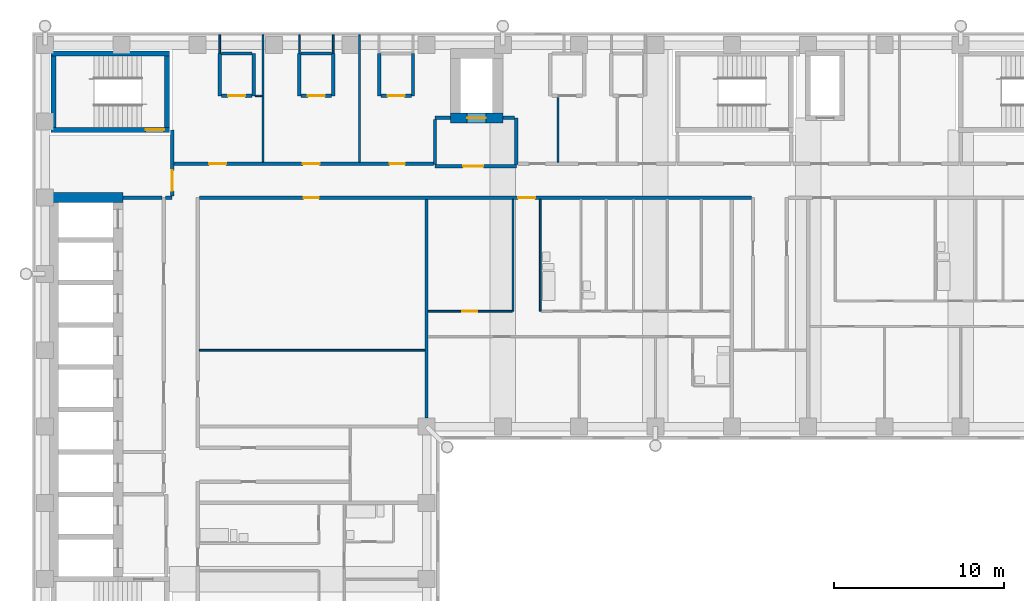
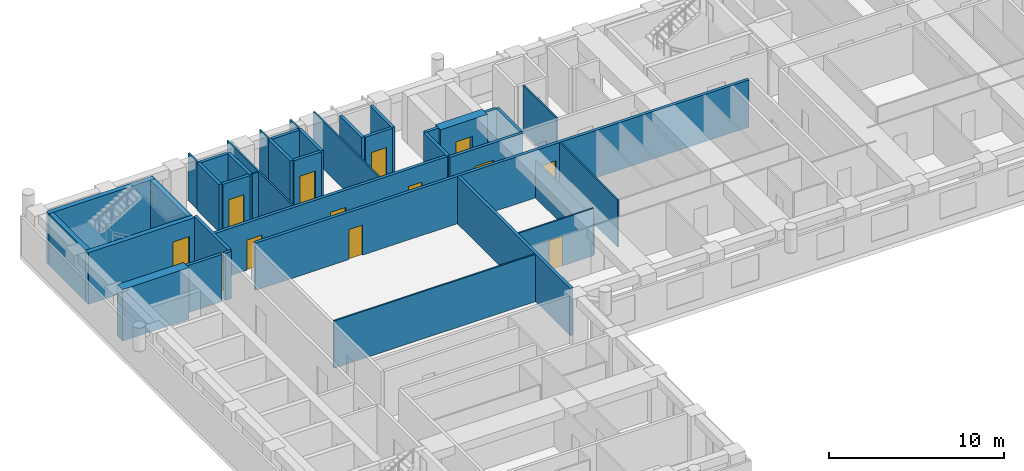
# One storey, part 7 of 14: 39 walls, 13 doors, 13 openings.
"""IFC4 building model written with IfcOpenShell, lengths in metres."""

from ifc_helpers import new_model, si_unit, direction, frame, frame_2d, origin, place, context, subcontext, project, spatial, rectangle, extrude, material, layer, layer_set, type_object, element, fill, save


model = new_model("IFC4")

# Units and contexts
model_context = context("Model", 3, precision=1e-05, world=origin(), true_north=direction((0.0, 1.0)))
body_context = subcontext(model_context, "Body", "Model", "MODEL_VIEW")
ifc_project = project(units=[si_unit("LENGTHUNIT", "METRE"), si_unit("AREAUNIT", "SQUARE_METRE"), si_unit("VOLUMEUNIT", "CUBIC_METRE"), si_unit("PLANEANGLEUNIT", "RADIAN"), si_unit("MASSUNIT", "GRAM", prefix="KILO")], contexts=[model_context])

# Site, building, storey
site_placement = place(None, origin())
site = spatial("IfcSite", under=ifc_project, at=site_placement, CompositionType="ELEMENT")
building_placement = place(site_placement, origin())
building = spatial("IfcBuilding", under=site, at=building_placement, Name="Firuza Court", CompositionType="ELEMENT")
storey_placement = place(building_placement, frame((0.0, 0.0, 159.199951171875)))
storey = spatial("IfcBuildingStorey", under=building, at=storey_placement, Name="L40", CompositionType="ELEMENT", Elevation=159.199951171875)

# Wall
ifc_material_1 = material(Name="Moisture-resistant gypsum board partition")
ifc_layer_1 = layer(ifc_material_1, 0.10009765625)
ifc_layer_set_1 = layer_set([ifc_layer_1], Name="Moisture-resistant gypsum board partition")
wall_type_1 = type_object("IfcWallType", Name="Bathroom partition 100", PredefinedType="PLUMBINGWALL", material=ifc_layer_set_1)
wall_1_placement = place(storey_placement, frame((29.199951171875, 42.800048828125, 0.0), z_axis=(0.0, 0.0, 1.0), x_axis=(0.0, 1.0, 0.0)))
element("IfcWall", 1, at=wall_1_placement, inside=storey, type_object=wall_type_1, Name="Bathroom partition 100 L40", PredefinedType="PLUMBINGWALL", context=body_context, shape_type="SweptSolid", body=[
    extrude(rectangle(XDim=6.599853515625, YDim=0.10009765625, at=frame_2d((3.2998046875, 0.0))), origin(), (0.0, 0.0, 1.0), 3.300048828125),
])

# Wall, opening, door
ifc_material_2 = material(Name="Concrete C60/75", Category="concrete")
ifc_layer_2 = layer(ifc_material_2, 0.300048828125)
ifc_layer_set_2 = layer_set([ifc_layer_2], Name="Concrete C60/75")
wall_type_2 = type_object("IfcWallType", Name="Core wall 300 C60/75", PredefinedType="SHEAR", material=ifc_layer_set_2)
wall_2_placement = place(storey_placement, frame((0.35009765625, 53.5, -0.300048828125), z_axis=(0.0, 0.0, 1.0), x_axis=(1.0, 0.0, 0.0)))
wall_2 = element("IfcWall", 2, at=wall_2_placement, inside=storey, type_object=wall_type_2, Name="Core wall stair L40", PredefinedType="SHEAR", context=body_context, shape_type="SweptSolid", body=[
    extrude(rectangle(XDim=7.0, YDim=0.300048828125, at=frame_2d((3.5, 0.0))), origin(), (0.0, 0.0, 1.0), 3.60009765625),
])
opening_1_placement = place(wall_2_placement, frame((5.580078125, 0.0, 0.300048828125)))
opening_1 = element("IfcOpeningElement", 3, at=opening_1_placement, cuts=wall_2, Name="Opening D40015", PredefinedType="OPENING", context=body_context, shape_type="SweptSolid", body=[
    extrude(rectangle(XDim=1.10009765625, YDim=2.10009765625, at=frame_2d((0.550048828125, 1.050048828125))), frame((0.0, 0.162109375, 0.0), z_axis=(0.0, -1.0, 0.0), x_axis=(1.0, 0.0, 0.0)), (0.0, 0.0, 1.0), 0.323974609375),
])
ifc_material_3 = material(Name="Timber door leaf in hardwood frame", Category="wood")
door_type_1 = type_object("IfcDoorType", Name="Stair door 1100", OperationType="SINGLE_SWING_LEFT", PredefinedType="DOOR", material=ifc_material_3)
door_1_placement = place(opening_1_placement, origin())
door_1 = element("IfcDoor", 4, at=door_1_placement, inside=storey, type_object=door_type_1, Name="Stair door S3", OperationType="SINGLE_SWING_RIGHT", OverallHeight=2.10009765625, OverallWidth=1.10009765625, PredefinedType="DOOR", context=body_context, shape_type="SweptSolid", body=[
    extrude(rectangle(XDim=1.10009765625, YDim=2.10009765625, at=frame_2d((0.550048828125, 1.050048828125))), frame((0.0, 0.02490234375, 0.0), z_axis=(0.0, -1.0, 0.0), x_axis=(1.0, 0.0, 0.0)), (0.0, 0.0, 1.0), 0.050048828125),
])
fill(opening_1, door_1)

# Walls
wall_3_placement = place(storey_placement, frame((0.35009765625, 58.0, -0.300048828125), z_axis=(0.0, 0.0, 1.0), x_axis=(1.0, 0.0, 0.0)))
element("IfcWall", 5, at=wall_3_placement, inside=storey, type_object=wall_type_2, Name="Core wall stair L40", PredefinedType="SHEAR", context=body_context, shape_type="SweptSolid", body=[
    extrude(rectangle(XDim=7.0, YDim=0.300048828125, at=frame_2d((3.5, 0.0))), origin(), (0.0, 0.0, 1.0), 3.60009765625),
])
for number, where, z_axis, x_axis, name in (
    (6, (0.5, 53.64990234375, -0.300048828125), (0.0, 0.0, 1.0), (0.0, 1.0, 0.0), "Core wall stair L40"),
    (7, (7.199951171875, 53.64990234375, -0.300048828125), (0.0, 0.0, 1.0), (0.0, 1.0, 0.0), "Core wall stair L40"),
):
    element("IfcWall", number, at=place(storey_placement, frame(where, z_axis=z_axis, x_axis=x_axis)), inside=storey, type_object=wall_type_2, Name=name, PredefinedType="SHEAR", context=body_context, shape_type="SweptSolid", body=[
        extrude(rectangle(XDim=4.2001953125, YDim=0.300048828125, at=frame_2d((2.10009765625, 0.0))), origin(), (0.0, 0.0, 1.0), 3.60009765625),
    ])
ifc_layer_3 = layer(ifc_material_2, 0.60009765625)
ifc_layer_set_3 = layer_set([ifc_layer_3], Name="Concrete C60/75")
wall_type_3 = type_object("IfcWallType", Name="Core wall 600 C60/75", PredefinedType="SHEAR", material=ifc_layer_set_3)
wall_4_placement = place(storey_placement, frame((0.199951171875, 49.5, -0.300048828125), z_axis=(0.0, 0.0, 1.0), x_axis=(1.0, 0.0, 0.0)))
element("IfcWall", 8, at=wall_4_placement, inside=storey, type_object=wall_type_3, Name="Core wall lift shaft L40", PredefinedType="SHEAR", context=body_context, shape_type="SweptSolid", body=[
    extrude(rectangle(XDim=4.400146484375, YDim=0.60009765625, at=frame_2d((2.2001953125, 0.0))), origin(), (0.0, 0.0, 1.0), 3.60009765625),
])

# Wall, opening, door
wall_5_placement = place(storey_placement, frame((23.89990234375, 54.199951171875, -0.300048828125), z_axis=(0.0, 0.0, 1.0), x_axis=(1.0, 0.0, 0.0)))
wall_5 = element("IfcWall", 9, at=wall_5_placement, inside=storey, type_object=wall_type_3, Name="Core wall lift shaft L40", PredefinedType="SHEAR", context=body_context, shape_type="SweptSolid", body=[
    extrude(rectangle(XDim=3.10009765625, YDim=0.60009765625, at=frame_2d((1.550048828125, 0.0))), origin(), (0.0, 0.0, 1.0), 3.60009765625),
])
opening_2_placement = place(wall_5_placement, frame((1.0, 0.0, 0.300048828125)))
opening_2 = element("IfcOpeningElement", 10, at=opening_2_placement, cuts=wall_5, Name="Opening LD-FL3-40", PredefinedType="OPENING", context=body_context, shape_type="SweptSolid", body=[
    extrude(rectangle(XDim=1.10009765625, YDim=2.10009765625, at=frame_2d((0.550048828125, 1.050048828125))), frame((0.0, 0.31201171875, 0.0), z_axis=(0.0, -1.0, 0.0), x_axis=(1.0, 0.0, 0.0)), (0.0, 0.0, 1.0), 0.6240234375),
])
ifc_material_4 = material(Name="Stainless steel 1.4301 door leaf", Category="steel")
door_type_2 = type_object("IfcDoorType", Name="Lift landing door 1100", OperationType="SLIDING_TO_LEFT", PredefinedType="DOOR", material=ifc_material_4)
door_2_placement = place(opening_2_placement, origin())
door_2 = element("IfcDoor", 11, at=door_2_placement, inside=storey, type_object=door_type_2, Name="Landing door FL3", OperationType="SLIDING_TO_LEFT", OverallHeight=2.10009765625, OverallWidth=1.10009765625, PredefinedType="DOOR", context=body_context, shape_type="SweptSolid", body=[
    extrude(rectangle(XDim=1.10009765625, YDim=2.10009765625, at=frame_2d((0.550048828125, 1.050048828125))), frame((0.0, 0.02490234375, 0.0), z_axis=(0.0, -1.0, 0.0), x_axis=(1.0, 0.0, 0.0)), (0.0, 0.0, 1.0), 0.050048828125),
])
fill(opening_2, door_2)

# Wall, openings, doors
ifc_material_5 = material(Name="Blockwork, plastered both sides", Category="masonry")
ifc_layer_4 = layer(ifc_material_5, 0.199951171875)
ifc_layer_set_4 = layer_set([ifc_layer_4], Name="Blockwork, plastered both sides")
wall_type_4 = type_object("IfcWallType", Name="Corridor wall 200", PredefinedType="PARTITIONING", material=ifc_layer_set_4)
wall_6_placement = place(storey_placement, frame((9.10009765625, 49.5, 0.0), z_axis=(0.0, 0.0, 1.0), x_axis=(1.0, 0.0, 0.0)))
wall_6 = element("IfcWall", 12, at=wall_6_placement, inside=storey, type_object=wall_type_4, Name="Corridor wall 200 L40", PredefinedType="PARTITIONING", context=body_context, shape_type="SweptSolid", body=[
    extrude(rectangle(XDim=32.5498046875, YDim=0.199951171875, at=frame_2d((16.27490234375, 0.0))), origin(), (0.0, 0.0, 1.0), 3.300048828125),
])
opening_3_placement = place(wall_6_placement, frame((18.800048828125, 0.0, 0.0)))
opening_3 = element("IfcOpeningElement", 13, at=opening_3_placement, cuts=wall_6, Name="Opening D40066", PredefinedType="OPENING", context=body_context, shape_type="SweptSolid", body=[
    extrude(rectangle(XDim=1.0, YDim=2.10009765625, at=frame_2d((0.5, 1.050048828125))), frame((0.0, 0.11181640625, 0.0), z_axis=(0.0, -1.0, 0.0), x_axis=(1.0, 0.0, 0.0)), (0.0, 0.0, 1.0), 0.223876953125),
])
opening_4_placement = place(wall_6_placement, frame((6.14990234375, 0.0, 0.0)))
opening_4 = element("IfcOpeningElement", 14, at=opening_4_placement, cuts=wall_6, Name="Opening D40067", PredefinedType="OPENING", context=body_context, shape_type="SweptSolid", body=[
    extrude(rectangle(XDim=0.89990234375, YDim=2.10009765625, at=frame_2d((0.449951171875, 1.050048828125))), frame((0.0, 0.11181640625, 0.0), z_axis=(0.0, -1.0, 0.0), x_axis=(1.0, 0.0, 0.0)), (0.0, 0.0, 1.0), 0.223876953125),
])
ifc_material_6 = material(Name="Timber door leaf in hardwood frame", Category="wood")
door_type_3 = type_object("IfcDoorType", Name="Flat entrance door 1000", OperationType="SINGLE_SWING_LEFT", PredefinedType="DOOR", material=ifc_material_6)
door_3_placement = place(opening_3_placement, origin())
door_3 = element("IfcDoor", 15, at=door_3_placement, inside=storey, type_object=door_type_3, Name="Flat entrance door", OperationType="SINGLE_SWING_LEFT", OverallHeight=2.10009765625, OverallWidth=1.0, PredefinedType="DOOR", context=body_context, shape_type="SweptSolid", body=[
    extrude(rectangle(XDim=1.0, YDim=2.10009765625, at=frame_2d((0.5, 1.050048828125))), frame((0.0, 0.02490234375, 0.0), z_axis=(0.0, -1.0, 0.0), x_axis=(1.0, 0.0, 0.0)), (0.0, 0.0, 1.0), 0.050048828125),
])
fill(opening_3, door_3)
ifc_material_7 = material(Name="Timber door leaf in hardwood frame", Category="wood")
door_type_4 = type_object("IfcDoorType", Name="Room door 900 EI 30", OperationType="SINGLE_SWING_LEFT", PredefinedType="DOOR", material=ifc_material_7)
door_4_placement = place(opening_4_placement, frame((0.89990234375, 0.0, 0.0), z_axis=(0.0, 0.0, 1.0), x_axis=(-1.0, 0.0, 0.0)))
door_4 = element("IfcDoor", 16, at=door_4_placement, inside=storey, type_object=door_type_4, Name="Playroom door", OperationType="SINGLE_SWING_RIGHT", OverallHeight=2.10009765625, OverallWidth=0.89990234375, PredefinedType="DOOR", context=body_context, shape_type="SweptSolid", body=[
    extrude(rectangle(XDim=0.89990234375, YDim=2.10009765625, at=frame_2d((0.449951171875, 1.050048828125))), frame((0.0, 0.02490234375, 0.0), z_axis=(0.0, -1.0, 0.0), x_axis=(1.0, 0.0, 0.0)), (0.0, 0.0, 1.0), 0.050048828125),
])
fill(opening_4, door_4)

wall_7_placement = place(storey_placement, frame((7.60009765625, 51.5, 0.0), z_axis=(0.0, 0.0, 1.0), x_axis=(1.0, 0.0, 0.0)))
wall_7 = element("IfcWall", 17, at=wall_7_placement, inside=storey, type_object=wall_type_4, Name="Corridor wall 200 L40", PredefinedType="PARTITIONING", context=body_context, shape_type="SweptSolid", body=[
    extrude(rectangle(XDim=15.2998046875, YDim=0.199951171875, at=frame_2d((7.64990234375, 0.0))), origin(), (0.0, 0.0, 1.0), 3.300048828125),
])
opening_5_placement = place(wall_7_placement, frame((2.074951171875, 0.0, 0.0)))
opening_5 = element("IfcOpeningElement", 18, at=opening_5_placement, cuts=wall_7, Name="Opening D40070", PredefinedType="OPENING", context=body_context, shape_type="SweptSolid", body=[
    extrude(rectangle(XDim=1.0, YDim=2.10009765625, at=frame_2d((0.5, 1.050048828125))), frame((0.0, 0.11181640625, 0.0), z_axis=(0.0, -1.0, 0.0), x_axis=(1.0, 0.0, 0.0)), (0.0, 0.0, 1.0), 0.223876953125),
])
opening_6_placement = place(wall_7_placement, frame((7.60009765625, 0.0, 0.0)))
opening_6 = element("IfcOpeningElement", 19, at=opening_6_placement, cuts=wall_7, Name="Opening D40071", PredefinedType="OPENING", context=body_context, shape_type="SweptSolid", body=[
    extrude(rectangle(XDim=1.0, YDim=2.10009765625, at=frame_2d((0.5, 1.050048828125))), frame((0.0, 0.11181640625, 0.0), z_axis=(0.0, -1.0, 0.0), x_axis=(1.0, 0.0, 0.0)), (0.0, 0.0, 1.0), 0.223876953125),
])
opening_7_placement = place(wall_7_placement, frame((12.72509765625, 0.0, 0.0)))
opening_7 = element("IfcOpeningElement", 20, at=opening_7_placement, cuts=wall_7, Name="Opening D40072", PredefinedType="OPENING", context=body_context, shape_type="SweptSolid", body=[
    extrude(rectangle(XDim=0.89990234375, YDim=2.10009765625, at=frame_2d((0.449951171875, 1.050048828125))), frame((0.0, 0.11181640625, 0.0), z_axis=(0.0, -1.0, 0.0), x_axis=(1.0, 0.0, 0.0)), (0.0, 0.0, 1.0), 0.223876953125),
])
door_5_placement = place(opening_7_placement, origin())
door_5 = element("IfcDoor", 21, at=door_5_placement, inside=storey, type_object=door_type_4, Name="Meeting room door", OperationType="SINGLE_SWING_LEFT", OverallHeight=2.10009765625, OverallWidth=0.89990234375, PredefinedType="DOOR", context=body_context, shape_type="SweptSolid", body=[
    extrude(rectangle(XDim=0.89990234375, YDim=2.10009765625, at=frame_2d((0.449951171875, 1.050048828125))), frame((0.0, 0.02490234375, 0.0), z_axis=(0.0, -1.0, 0.0), x_axis=(1.0, 0.0, 0.0)), (0.0, 0.0, 1.0), 0.050048828125),
])
fill(opening_7, door_5)
ifc_material_8 = material(Name="Timber door leaf in hardwood frame", Category="wood")
door_type_5 = type_object("IfcDoorType", Name="Store door 1000", OperationType="SINGLE_SWING_LEFT", PredefinedType="DOOR", material=ifc_material_8)
door_6_placement = place(opening_5_placement, origin())
door_6 = element("IfcDoor", 22, at=door_6_placement, inside=storey, type_object=door_type_5, Name="Comms room door", OperationType="SINGLE_SWING_LEFT", OverallHeight=2.10009765625, OverallWidth=1.0, PredefinedType="DOOR", context=body_context, shape_type="SweptSolid", body=[
    extrude(rectangle(XDim=1.0, YDim=2.10009765625, at=frame_2d((0.5, 1.050048828125))), frame((0.0, 0.02490234375, 0.0), z_axis=(0.0, -1.0, 0.0), x_axis=(1.0, 0.0, 0.0)), (0.0, 0.0, 1.0), 0.050048828125),
])
fill(opening_5, door_6)
door_7_placement = place(opening_6_placement, origin())
door_7 = element("IfcDoor", 23, at=door_7_placement, inside=storey, type_object=door_type_5, Name="Bicycle store door", OperationType="SINGLE_SWING_LEFT", OverallHeight=2.10009765625, OverallWidth=1.0, PredefinedType="DOOR", context=body_context, shape_type="SweptSolid", body=[
    extrude(rectangle(XDim=1.0, YDim=2.10009765625, at=frame_2d((0.5, 1.050048828125))), frame((0.0, 0.02490234375, 0.0), z_axis=(0.0, -1.0, 0.0), x_axis=(1.0, 0.0, 0.0)), (0.0, 0.0, 1.0), 0.050048828125),
])
fill(opening_6, door_7)

# Wall
ifc_material_9 = material(Name="Timber stud partition, plasterboard both sides", Category="wood")
ifc_layer_5 = layer(ifc_material_9, 0.10009765625)
ifc_layer_set_5 = layer_set([ifc_layer_5], Name="Timber stud partition, plasterboard both sides")
wall_type_5 = type_object("IfcWallType", Name="Partition wall 100", PredefinedType="PARTITIONING", material=ifc_layer_set_5)
wall_8_placement = place(storey_placement, frame((9.10009765625, 40.5, 0.0), z_axis=(0.0, 0.0, 1.0), x_axis=(1.0, 0.0, 0.0)))
element("IfcWall", 24, at=wall_8_placement, inside=storey, type_object=wall_type_5, Name="Partition wall 100 L40", PredefinedType="PARTITIONING", context=body_context, shape_type="SweptSolid", body=[
    extrude(rectangle(XDim=13.2998046875, YDim=0.10009765625, at=frame_2d((6.64990234375, 0.0))), origin(), (0.0, 0.0, 1.0), 3.300048828125),
])

# Wall, opening, door
wall_9_placement = place(storey_placement, frame((22.60009765625, 42.800048828125, 0.0), z_axis=(0.0, 0.0, 1.0), x_axis=(1.0, 0.0, 0.0)))
wall_9 = element("IfcWall", 25, at=wall_9_placement, inside=storey, type_object=wall_type_5, Name="Partition wall 100 L40", PredefinedType="PARTITIONING", context=body_context, shape_type="SweptSolid", body=[
    extrude(rectangle(XDim=4.949951171875, YDim=0.10009765625, at=frame_2d((2.47509765625, 0.0))), origin(), (0.0, 0.0, 1.0), 3.300048828125),
])
opening_8_placement = place(wall_9_placement, frame((2.0, 0.0, 0.0)))
opening_8 = element("IfcOpeningElement", 26, at=opening_8_placement, cuts=wall_9, Name="Opening D40053", PredefinedType="OPENING", context=body_context, shape_type="SweptSolid", body=[
    extrude(rectangle(XDim=0.89990234375, YDim=2.10009765625, at=frame_2d((0.449951171875, 1.050048828125))), frame((0.0, 0.06201171875, 0.0), z_axis=(0.0, -1.0, 0.0), x_axis=(1.0, 0.0, 0.0)), (0.0, 0.0, 1.0), 0.1240234375),
])
ifc_material_10 = material(Name="Timber door leaf in hardwood frame", Category="wood")
door_type_6 = type_object("IfcDoorType", Name="Room door 900", OperationType="SINGLE_SWING_LEFT", PredefinedType="DOOR", material=ifc_material_10)
door_8_placement = place(opening_8_placement, origin())
door_8 = element("IfcDoor", 27, at=door_8_placement, inside=storey, type_object=door_type_6, Name="Kitchen door", OperationType="SINGLE_SWING_LEFT", OverallHeight=2.10009765625, OverallWidth=0.89990234375, PredefinedType="DOOR", context=body_context, shape_type="SweptSolid", body=[
    extrude(rectangle(XDim=0.89990234375, YDim=2.10009765625, at=frame_2d((0.449951171875, 1.050048828125))), frame((0.0, 0.02490234375, 0.0), z_axis=(0.0, -1.0, 0.0), x_axis=(1.0, 0.0, 0.0)), (0.0, 0.0, 1.0), 0.050048828125),
])
fill(opening_8, door_8)

# Walls
wall_10_placement = place(storey_placement, frame((27.60009765625, 42.800048828125, 0.0), z_axis=(0.0, 0.0, 1.0), x_axis=(0.0, 1.0, 0.0)))
element("IfcWall", 28, at=wall_10_placement, inside=storey, type_object=wall_type_5, Name="Partition wall 100 L40", PredefinedType="PARTITIONING", context=body_context, shape_type="SweptSolid", body=[
    extrude(rectangle(XDim=6.599853515625, YDim=0.10009765625, at=frame_2d((3.2998046875, 0.0))), origin(), (0.0, 0.0, 1.0), 2.60009765625),
])
for number, where, z_axis, x_axis, name in (
    (29, (12.85009765625, 51.60009765625, 0.0), (0.0, 0.0, 1.0), (0.0, 1.0, 0.0), "Partition wall 100 L40"),
    (30, (18.550048828125, 51.60009765625, 0.0), (0.0, 0.0, 1.0), (0.0, 1.0, 0.0), "Partition wall 100 L40"),
):
    element("IfcWall", number, at=place(storey_placement, frame(where, z_axis=z_axis, x_axis=x_axis)), inside=storey, type_object=wall_type_5, Name=name, PredefinedType="PARTITIONING", context=body_context, shape_type="SweptSolid", body=[
        extrude(rectangle(XDim=7.5, YDim=0.10009765625, at=frame_2d((3.75, 0.0))), origin(), (0.0, 0.0, 1.0), 3.300048828125),
    ])
wall_11_placement = place(storey_placement, frame((30.25, 51.60009765625, 0.0), z_axis=(0.0, 0.0, 1.0), x_axis=(0.0, 1.0, 0.0)))
element("IfcWall", 31, at=wall_11_placement, inside=storey, type_object=wall_type_5, Name="Partition wall 100 L40", PredefinedType="PARTITIONING", context=body_context, shape_type="SweptSolid", body=[
    extrude(rectangle(XDim=3.7998046875, YDim=0.10009765625, at=frame_2d((1.89990234375, 0.0))), origin(), (0.0, 0.0, 1.0), 3.300048828125),
])
wall_12_placement = place(storey_placement, frame((12.39990234375, 55.5, 0.0), z_axis=(0.0, 0.0, 1.0), x_axis=(1.0, 0.0, 0.0)))
element("IfcWall", 32, at=wall_12_placement, inside=storey, type_object=wall_type_5, Name="Partition wall 100 L40", PredefinedType="PARTITIONING", context=body_context, shape_type="SweptSolid", body=[
    extrude(rectangle(XDim=0.400146484375, YDim=0.10009765625, at=frame_2d((0.2001953125, 0.0))), origin(), (0.0, 0.0, 1.0), 3.300048828125),
])
for number, where, z_axis, x_axis, name in (
    (33, (10.300048828125, 58.0, 0.0), (0.0, 0.0, 1.0), (0.0, 1.0, 0.0), "Partition wall 100 L40"),
    (34, (15.0, 58.0, 0.0), (0.0, 0.0, 1.0), (0.0, 1.0, 0.0), "Partition wall 100 L40"),
    (35, (17.0, 58.0, 0.0), (0.0, 0.0, 1.0), (0.0, 1.0, 0.0), "Partition wall 100 L40"),
):
    element("IfcWall", number, at=place(storey_placement, frame(where, z_axis=z_axis, x_axis=x_axis)), inside=storey, type_object=wall_type_5, Name=name, PredefinedType="PARTITIONING", context=body_context, shape_type="SweptSolid", body=[
        extrude(rectangle(XDim=1.10009765625, YDim=0.10009765625, at=frame_2d((0.550048828125, 0.0))), origin(), (0.0, 0.0, 1.0), 3.300048828125),
    ])
ifc_layer_6 = layer(ifc_material_5, 0.199951171875)
ifc_layer_set_6 = layer_set([ifc_layer_6], Name="Blockwork, plastered both sides")
wall_type_6 = type_object("IfcWallType", Name="Party wall 200", PredefinedType="PARTITIONING", material=ifc_layer_set_6)
wall_13_placement = place(storey_placement, frame((22.5, 36.5, 0.0), z_axis=(0.0, 0.0, 1.0), x_axis=(0.0, 1.0, 0.0)))
element("IfcWall", 36, at=wall_13_placement, inside=storey, type_object=wall_type_6, Name="Party wall 200 L40", PredefinedType="PARTITIONING", context=body_context, shape_type="SweptSolid", body=[
    extrude(rectangle(XDim=12.89990234375, YDim=0.199951171875, at=frame_2d((6.449951171875, 0.0))), origin(), (0.0, 0.0, 1.0), 3.300048828125),
])
ifc_material_11 = material(Name="Blockwork, fire-rated", Category="masonry")
ifc_layer_7 = layer(ifc_material_11, 0.199951171875)
ifc_layer_set_7 = layer_set([ifc_layer_7], Name="Blockwork, fire-rated")
wall_type_7 = type_object("IfcWallType", Name="Plant room wall 200", PredefinedType="PARTITIONING", material=ifc_layer_set_7)
wall_14_placement = place(storey_placement, frame((10.300048828125, 55.5, 0.0), z_axis=(0.0, 0.0, 1.0), x_axis=(0.0, 1.0, 0.0)))
element("IfcWall", 37, at=wall_14_placement, inside=storey, type_object=wall_type_7, Name="Plant room wall 200 L40", PredefinedType="PARTITIONING", context=body_context, shape_type="SweptSolid", body=[
    extrude(rectangle(XDim=2.5, YDim=0.199951171875, at=frame_2d((1.25, 0.0))), origin(), (0.0, 0.0, 1.0), 3.300048828125),
])

# Wall, opening, door
wall_15_placement = place(storey_placement, frame((10.39990234375, 55.5, 0.0), z_axis=(0.0, 0.0, 1.0), x_axis=(1.0, 0.0, 0.0)))
wall_15 = element("IfcWall", 38, at=wall_15_placement, inside=storey, type_object=wall_type_7, Name="Plant room wall 200 L40", PredefinedType="PARTITIONING", context=body_context, shape_type="SweptSolid", body=[
    extrude(rectangle(XDim=1.800048828125, YDim=0.199951171875, at=frame_2d((0.89990234375, 0.0))), origin(), (0.0, 0.0, 1.0), 3.300048828125),
])
opening_9_placement = place(wall_15_placement, frame((0.39990234375, 0.0, 0.0)))
opening_9 = element("IfcOpeningElement", 39, at=opening_9_placement, cuts=wall_15, Name="Opening D40080", PredefinedType="OPENING", context=body_context, shape_type="SweptSolid", body=[
    extrude(rectangle(XDim=1.0, YDim=2.10009765625, at=frame_2d((0.5, 1.050048828125))), frame((0.0, 0.11181640625, 0.0), z_axis=(0.0, -1.0, 0.0), x_axis=(1.0, 0.0, 0.0)), (0.0, 0.0, 1.0), 0.223876953125),
])
ifc_material_12 = material(Name="Timber door leaf in hardwood frame", Category="wood")
door_type_7 = type_object("IfcDoorType", Name="Riser door 1000", OperationType="SINGLE_SWING_LEFT", PredefinedType="DOOR", material=ifc_material_12)
door_9_placement = place(opening_9_placement, origin())
door_9 = element("IfcDoor", 40, at=door_9_placement, inside=storey, type_object=door_type_7, Name="Comms riser door", OperationType="SINGLE_SWING_LEFT", OverallHeight=2.10009765625, OverallWidth=1.0, PredefinedType="DOOR", context=body_context, shape_type="SweptSolid", body=[
    extrude(rectangle(XDim=1.0, YDim=2.10009765625, at=frame_2d((0.5, 1.050048828125))), frame((0.0, 0.02490234375, 0.0), z_axis=(0.0, -1.0, 0.0), x_axis=(1.0, 0.0, 0.0)), (0.0, 0.0, 1.0), 0.050048828125),
])
fill(opening_9, door_9)

# Walls
for number, where, z_axis, x_axis, name in (
    (41, (12.300048828125, 55.5, 0.0), (0.0, 0.0, 1.0), (0.0, 1.0, 0.0), "Plant room wall 200 L40"),
    (42, (15.0, 55.5, 0.0), (0.0, 0.0, 1.0), (0.0, 1.0, 0.0), "Plant room wall 200 L40"),
):
    element("IfcWall", number, at=place(storey_placement, frame(where, z_axis=z_axis, x_axis=x_axis)), inside=storey, type_object=wall_type_7, Name=name, PredefinedType="PARTITIONING", context=body_context, shape_type="SweptSolid", body=[
        extrude(rectangle(XDim=2.5, YDim=0.199951171875, at=frame_2d((1.25, 0.0))), origin(), (0.0, 0.0, 1.0), 3.300048828125),
    ])

# Wall, opening, door
wall_16_placement = place(storey_placement, frame((15.10009765625, 55.5, 0.0), z_axis=(0.0, 0.0, 1.0), x_axis=(1.0, 0.0, 0.0)))
wall_16 = element("IfcWall", 43, at=wall_16_placement, inside=storey, type_object=wall_type_7, Name="Plant room wall 200 L40", PredefinedType="PARTITIONING", context=body_context, shape_type="SweptSolid", body=[
    extrude(rectangle(XDim=1.7998046875, YDim=0.199951171875, at=frame_2d((0.89990234375, 0.0))), origin(), (0.0, 0.0, 1.0), 3.300048828125),
])
opening_10_placement = place(wall_16_placement, frame((0.39990234375, 0.0, 0.0)))
opening_10 = element("IfcOpeningElement", 44, at=opening_10_placement, cuts=wall_16, Name="Opening D40081", PredefinedType="OPENING", context=body_context, shape_type="SweptSolid", body=[
    extrude(rectangle(XDim=1.0, YDim=2.10009765625, at=frame_2d((0.5, 1.050048828125))), frame((0.0, 0.11181640625, 0.0), z_axis=(0.0, -1.0, 0.0), x_axis=(1.0, 0.0, 0.0)), (0.0, 0.0, 1.0), 0.223876953125),
])
door_10_placement = place(opening_10_placement, origin())
door_10 = element("IfcDoor", 45, at=door_10_placement, inside=storey, type_object=door_type_7, Name="Electrical riser door", OperationType="SINGLE_SWING_LEFT", OverallHeight=2.10009765625, OverallWidth=1.0, PredefinedType="DOOR", context=body_context, shape_type="SweptSolid", body=[
    extrude(rectangle(XDim=1.0, YDim=2.10009765625, at=frame_2d((0.5, 1.050048828125))), frame((0.0, 0.02490234375, 0.0), z_axis=(0.0, -1.0, 0.0), x_axis=(1.0, 0.0, 0.0)), (0.0, 0.0, 1.0), 0.050048828125),
])
fill(opening_10, door_10)

# Walls
for number, where, z_axis, x_axis, name in (
    (46, (17.0, 55.5, 0.0), (0.0, 0.0, 1.0), (0.0, 1.0, 0.0), "Plant room wall 200 L40"),
    (47, (19.699951171875, 55.5, 0.0), (0.0, 0.0, 1.0), (0.0, 1.0, 0.0), "Plant room wall 200 L40"),
):
    element("IfcWall", number, at=place(storey_placement, frame(where, z_axis=z_axis, x_axis=x_axis)), inside=storey, type_object=wall_type_7, Name=name, PredefinedType="PARTITIONING", context=body_context, shape_type="SweptSolid", body=[
        extrude(rectangle(XDim=2.5, YDim=0.199951171875, at=frame_2d((1.25, 0.0))), origin(), (0.0, 0.0, 1.0), 3.300048828125),
    ])

# Wall, opening, door
wall_17_placement = place(storey_placement, frame((19.800048828125, 55.5, 0.0), z_axis=(0.0, 0.0, 1.0), x_axis=(1.0, 0.0, 0.0)))
wall_17 = element("IfcWall", 48, at=wall_17_placement, inside=storey, type_object=wall_type_7, Name="Plant room wall 200 L40", PredefinedType="PARTITIONING", context=body_context, shape_type="SweptSolid", body=[
    extrude(rectangle(XDim=1.800048828125, YDim=0.199951171875, at=frame_2d((0.89990234375, 0.0))), origin(), (0.0, 0.0, 1.0), 3.300048828125),
])
opening_11_placement = place(wall_17_placement, frame((0.39990234375, 0.0, 0.0)))
opening_11 = element("IfcOpeningElement", 49, at=opening_11_placement, cuts=wall_17, Name="Opening D40082", PredefinedType="OPENING", context=body_context, shape_type="SweptSolid", body=[
    extrude(rectangle(XDim=1.0, YDim=2.10009765625, at=frame_2d((0.5, 1.050048828125))), frame((0.0, 0.11181640625, 0.0), z_axis=(0.0, -1.0, 0.0), x_axis=(1.0, 0.0, 0.0)), (0.0, 0.0, 1.0), 0.223876953125),
])
door_11_placement = place(opening_11_placement, origin())
door_11 = element("IfcDoor", 50, at=door_11_placement, inside=storey, type_object=door_type_7, Name="Duct riser door", OperationType="SINGLE_SWING_LEFT", OverallHeight=2.10009765625, OverallWidth=1.0, PredefinedType="DOOR", context=body_context, shape_type="SweptSolid", body=[
    extrude(rectangle(XDim=1.0, YDim=2.10009765625, at=frame_2d((0.5, 1.050048828125))), frame((0.0, 0.02490234375, 0.0), z_axis=(0.0, -1.0, 0.0), x_axis=(1.0, 0.0, 0.0)), (0.0, 0.0, 1.0), 0.050048828125),
])
fill(opening_11, door_11)

# Walls
wall_18_placement = place(storey_placement, frame((21.699951171875, 55.5, 0.0), z_axis=(0.0, 0.0, 1.0), x_axis=(0.0, 1.0, 0.0)))
element("IfcWall", 51, at=wall_18_placement, inside=storey, type_object=wall_type_7, Name="Plant room wall 200 L40", PredefinedType="PARTITIONING", context=body_context, shape_type="SweptSolid", body=[
    extrude(rectangle(XDim=2.5, YDim=0.199951171875, at=frame_2d((1.25, 0.0))), origin(), (0.0, 0.0, 1.0), 3.300048828125),
])
wall_19_placement = place(storey_placement, frame((10.39990234375, 58.0, 0.0), z_axis=(0.0, 0.0, 1.0), x_axis=(1.0, 0.0, 0.0)))
element("IfcWall", 52, at=wall_19_placement, inside=storey, type_object=wall_type_7, Name="Plant room wall 200 L40", PredefinedType="PARTITIONING", context=body_context, shape_type="SweptSolid", body=[
    extrude(rectangle(XDim=1.800048828125, YDim=0.199951171875, at=frame_2d((0.89990234375, 0.0))), origin(), (0.0, 0.0, 1.0), 3.300048828125),
])
wall_20_placement = place(storey_placement, frame((15.10009765625, 58.0, 0.0), z_axis=(0.0, 0.0, 1.0), x_axis=(1.0, 0.0, 0.0)))
element("IfcWall", 53, at=wall_20_placement, inside=storey, type_object=wall_type_7, Name="Plant room wall 200 L40", PredefinedType="PARTITIONING", context=body_context, shape_type="SweptSolid", body=[
    extrude(rectangle(XDim=1.7998046875, YDim=0.199951171875, at=frame_2d((0.89990234375, 0.0))), origin(), (0.0, 0.0, 1.0), 3.300048828125),
])
ifc_layer_8 = layer(ifc_material_11, 0.199951171875)
ifc_layer_set_8 = layer_set([ifc_layer_8], Name="Blockwork, fire-rated")
wall_type_8 = type_object("IfcWallType", Name="Shaft wall 200", PredefinedType="PARTITIONING", material=ifc_layer_set_8)
wall_21_placement = place(storey_placement, frame((4.60009765625, 49.5, 0.0), z_axis=(0.0, 0.0, 1.0), x_axis=(1.0, 0.0, 0.0)))
element("IfcWall", 54, at=wall_21_placement, inside=storey, type_object=wall_type_8, Name="Shaft wall 200 L40", PredefinedType="PARTITIONING", context=body_context, shape_type="SweptSolid", body=[
    extrude(rectangle(XDim=2.2998046875, YDim=0.199951171875, at=frame_2d((1.14990234375, 0.0))), origin(), (0.0, 0.0, 1.0), 3.300048828125),
])

# Wall, opening, door
wall_22_placement = place(storey_placement, frame((23.0, 51.35009765625, 0.0), z_axis=(0.0, 0.0, 1.0), x_axis=(1.0, 0.0, 0.0)))
wall_22 = element("IfcWall", 55, at=wall_22_placement, inside=storey, type_object=wall_type_8, Name="Shaft wall 200 L40", PredefinedType="PARTITIONING", context=body_context, shape_type="SweptSolid", body=[
    extrude(rectangle(XDim=4.800048828125, YDim=0.199951171875, at=frame_2d((2.39990234375, 0.0))), origin(), (0.0, 0.0, 1.0), 3.300048828125),
])
opening_12_placement = place(wall_22_placement, frame((1.64990234375, 0.0, 0.0)))
opening_12 = element("IfcOpeningElement", 56, at=opening_12_placement, cuts=wall_22, Name="Opening D40003", PredefinedType="OPENING", context=body_context, shape_type="SweptSolid", body=[
    extrude(rectangle(XDim=1.199951171875, YDim=2.10009765625, at=frame_2d((0.60009765625, 1.050048828125))), frame((0.0, 0.11181640625, 0.0), z_axis=(0.0, -1.0, 0.0), x_axis=(1.0, 0.0, 0.0)), (0.0, 0.0, 1.0), 0.223876953125),
])
ifc_material_13 = material(Name="Timber door leaf in hardwood frame", Category="wood")
door_type_8 = type_object("IfcDoorType", Name="Lobby door 1200", OperationType="SINGLE_SWING_LEFT", PredefinedType="DOOR", material=ifc_material_13)
door_12_placement = place(opening_12_placement, origin())
door_12 = element("IfcDoor", 57, at=door_12_placement, inside=storey, type_object=door_type_8, Name="Fire-fighting lobby door", OperationType="SINGLE_SWING_LEFT", OverallHeight=2.10009765625, OverallWidth=1.199951171875, PredefinedType="DOOR", context=body_context, shape_type="SweptSolid", body=[
    extrude(rectangle(XDim=1.199951171875, YDim=2.10009765625, at=frame_2d((0.60009765625, 1.050048828125))), frame((0.0, 0.02490234375, 0.0), z_axis=(0.0, -1.0, 0.0), x_axis=(1.0, 0.0, 0.0)), (0.0, 0.0, 1.0), 0.050048828125),
])
fill(opening_12, door_12)

# Walls
wall_23_placement = place(storey_placement, frame((27.800048828125, 51.449951171875, 0.0), z_axis=(0.0, 0.0, 1.0), x_axis=(0.0, 1.0, 0.0)))
element("IfcWall", 58, at=wall_23_placement, inside=storey, type_object=wall_type_8, Name="Shaft wall 200 L40", PredefinedType="PARTITIONING", context=body_context, shape_type="SweptSolid", body=[
    extrude(rectangle(XDim=2.75, YDim=0.199951171875, at=frame_2d((1.375, 0.0))), origin(), (0.0, 0.0, 1.0), 3.300048828125),
])
wall_24_placement = place(storey_placement, frame((23.0, 54.199951171875, 0.0), z_axis=(0.0, 0.0, 1.0), x_axis=(1.0, 0.0, 0.0)))
element("IfcWall", 59, at=wall_24_placement, inside=storey, type_object=wall_type_8, Name="Shaft wall 200 L40", PredefinedType="PARTITIONING", context=body_context, shape_type="SweptSolid", body=[
    extrude(rectangle(XDim=0.89990234375, YDim=0.199951171875, at=frame_2d((0.449951171875, 0.0))), origin(), (0.0, 0.0, 1.0), 3.300048828125),
])
wall_25_placement = place(storey_placement, frame((27.0, 54.199951171875, 0.0), z_axis=(0.0, 0.0, 1.0), x_axis=(1.0, 0.0, 0.0)))
element("IfcWall", 60, at=wall_25_placement, inside=storey, type_object=wall_type_8, Name="Shaft wall 200 L40", PredefinedType="PARTITIONING", context=body_context, shape_type="SweptSolid", body=[
    extrude(rectangle(XDim=0.699951171875, YDim=0.199951171875, at=frame_2d((0.35009765625, 0.0))), origin(), (0.0, 0.0, 1.0), 3.300048828125),
])
wall_26_placement = place(storey_placement, frame((23.0, 51.449951171875, 0.0), z_axis=(0.0, 0.0, 1.0), x_axis=(0.0, 1.0, 0.0)))
element("IfcWall", 61, at=wall_26_placement, inside=storey, type_object=wall_type_8, Name="Shaft wall 200 L40", PredefinedType="PARTITIONING", context=body_context, shape_type="SweptSolid", body=[
    extrude(rectangle(XDim=2.650146484375, YDim=0.199951171875, at=frame_2d((1.3251953125, 0.0))), origin(), (0.0, 0.0, 1.0), 3.300048828125),
])
wall_27_placement = place(storey_placement, frame((7.10009765625, 49.5, 0.0), z_axis=(0.0, 0.0, 1.0), x_axis=(1.0, 0.0, 0.0)))
element("IfcWall", 62, at=wall_27_placement, inside=storey, type_object=wall_type_8, Name="Shaft wall 200 L40", PredefinedType="PARTITIONING", context=body_context, shape_type="SweptSolid", body=[
    extrude(rectangle(XDim=0.39990234375, YDim=0.199951171875, at=frame_2d((0.199951171875, 0.0))), origin(), (0.0, 0.0, 1.0), 3.300048828125),
])

# Wall, opening, door
wall_28_placement = place(storey_placement, frame((7.5, 49.60009765625, 0.0), z_axis=(0.0, 0.0, 1.0), x_axis=(0.0, 1.0, 0.0)))
wall_28 = element("IfcWall", 63, at=wall_28_placement, inside=storey, type_object=wall_type_8, Name="Shaft wall 200 L40", PredefinedType="PARTITIONING", context=body_context, shape_type="SweptSolid", body=[
    extrude(rectangle(XDim=3.89990234375, YDim=0.199951171875, at=frame_2d((1.949951171875, 0.0))), origin(), (0.0, 0.0, 1.0), 3.300048828125),
])
opening_13_placement = place(wall_28_placement, frame((0.300048828125, 0.0, 0.0)))
opening_13 = element("IfcOpeningElement", 64, at=opening_13_placement, cuts=wall_28, Name="Opening D40001", PredefinedType="OPENING", context=body_context, shape_type="SweptSolid", body=[
    extrude(rectangle(XDim=1.199951171875, YDim=2.10009765625, at=frame_2d((0.60009765625, 1.050048828125))), frame((0.0, 0.11181640625, 0.0), z_axis=(0.0, -1.0, 0.0), x_axis=(1.0, 0.0, 0.0)), (0.0, 0.0, 1.0), 0.223876953125),
])
door_13_placement = place(opening_13_placement, origin())
door_13 = element("IfcDoor", 65, at=door_13_placement, inside=storey, type_object=door_type_8, Name="Lobby door", OperationType="SINGLE_SWING_LEFT", OverallHeight=2.10009765625, OverallWidth=1.199951171875, PredefinedType="DOOR", context=body_context, shape_type="SweptSolid", body=[
    extrude(rectangle(XDim=1.199951171875, YDim=2.10009765625, at=frame_2d((0.60009765625, 1.050048828125))), frame((0.0, 0.02490234375, 0.0), z_axis=(0.0, -1.0, 0.0), x_axis=(1.0, 0.0, 0.0)), (0.0, 0.0, 1.0), 0.050048828125),
])
fill(opening_13, door_13)

save(model, "model.ifc")
